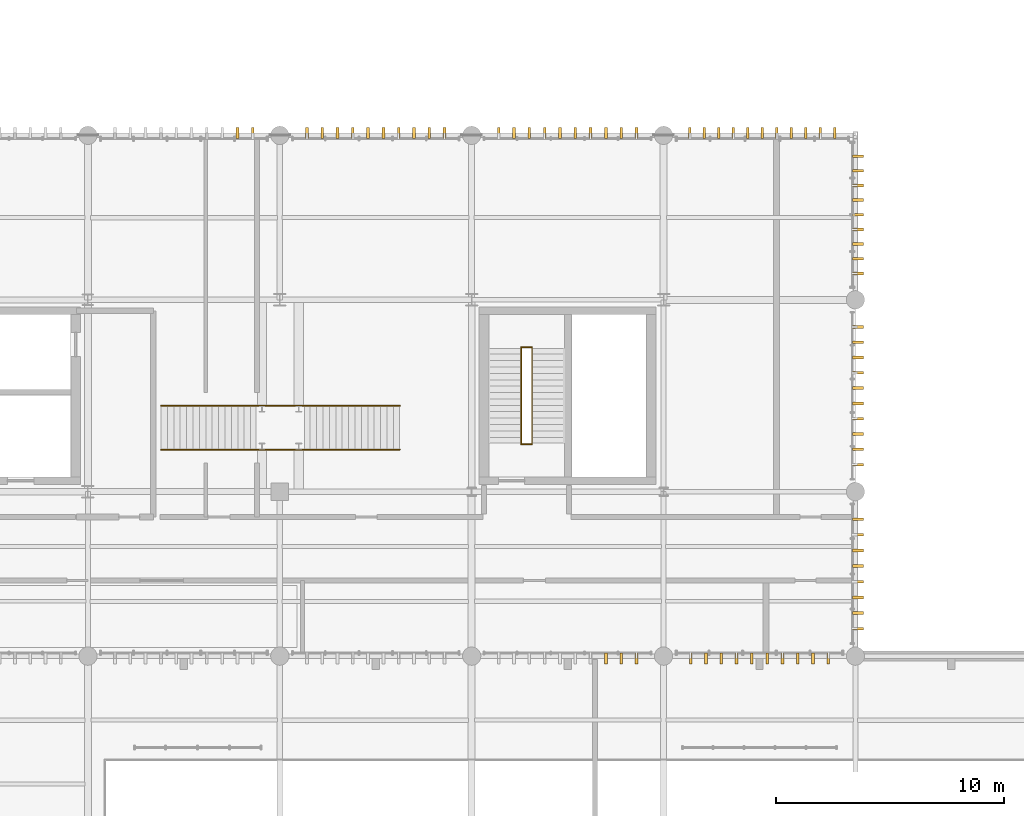
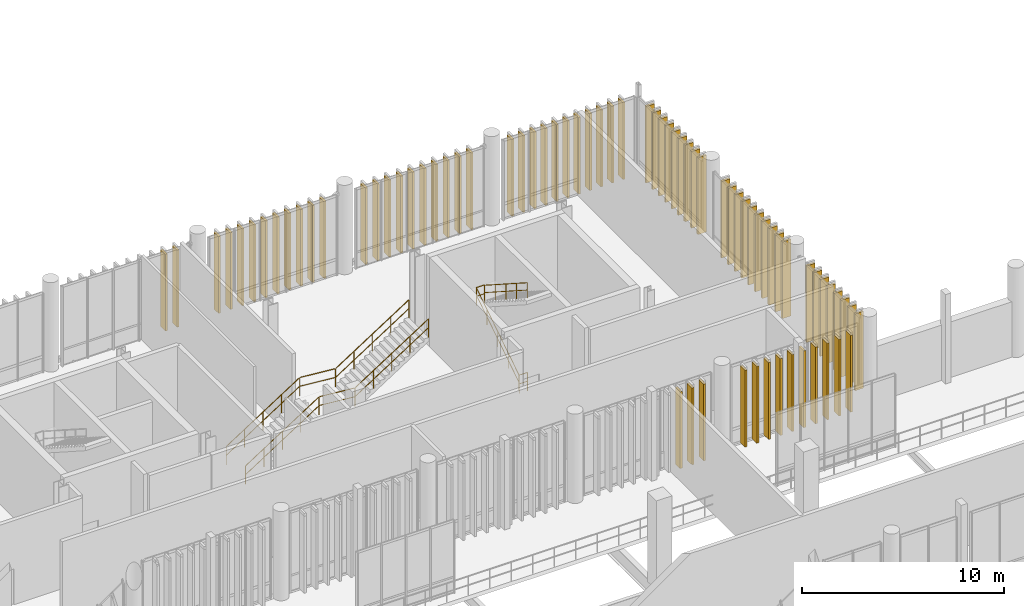
# One storey, part 123 of 128: 73 coverings, 6 railings.
"""IFC4 building model written with IfcOpenShell, lengths in metres."""

from ifc_helpers import new_model, si_unit, direction, frame, frame_2d, origin_with_axes, origin_2d_with_axis, place, context, subcontext, project, spatial, rectangle, circle, extrude, material, type_object, element, save


model = new_model("IFC4")

# Units and contexts
model_context = context("Model", 3, precision=1e-05, world=origin_with_axes(), true_north=direction((0.0, 1.0)))
body_context = subcontext(model_context, "Body", "Model", "MODEL_VIEW")
ifc_project = project(units=[si_unit("LENGTHUNIT", "METRE"), si_unit("AREAUNIT", "SQUARE_METRE"), si_unit("VOLUMEUNIT", "CUBIC_METRE"), si_unit("PLANEANGLEUNIT", "RADIAN"), si_unit("MASSUNIT", "GRAM", prefix="KILO"), si_unit("THERMODYNAMICTEMPERATUREUNIT", "KELVIN")], contexts=[model_context])

# Site, building, storey
site_placement = place(None, origin_with_axes())
site = spatial("IfcSite", under=ifc_project, at=site_placement, CompositionType="ELEMENT")
building_placement = place(site_placement, origin_with_axes())
building = spatial("IfcBuilding", under=site, at=building_placement, Name="Montbau Bow Law Courts", CompositionType="ELEMENT")
storey_placement = place(building_placement, frame((0.0, 0.0, 5.4), z_axis=(0.0, 0.0, 1.0), x_axis=(1.0, 0.0, 0.0)))
storey = spatial("IfcBuildingStorey", under=building, at=storey_placement, Name="L01", CompositionType="ELEMENT", Elevation=5.4)

# Coverings
ifc_material_1 = material(Name="Freeze-Thaw Glazed Warm Cream Ceramic Vertical Louvre", Category="masonry")
covering_type = type_object("IfcCoveringType", Name="CV-LVR-CRM", PredefinedType="CLADDING", material=ifc_material_1)
for number, where, z_axis, x_axis, name in (
    (1, (86.275, 39.13, 5.4), (-1.0, 0.0, 0.0), (0.0, -1.0, 0.0), "CLV-L01-1288:cov_1333"),
    (2, (86.945, 39.13, 5.4), (-1.0, 0.0, 0.0), (0.0, -1.0, 0.0), "CLV-L01-1289:cov_1334"),
    (3, (87.615, 39.13, 5.4), (-1.0, 0.0, 0.0), (0.0, -1.0, 0.0), "CLV-L01-1290:cov_1335"),
    (4, (89.985, 39.13, 5.4), (-1.0, 0.0, 0.0), (0.0, -1.0, 0.0), "CLV-L01-1291:cov_1336"),
    (5, (90.655, 39.13, 5.4), (-1.0, 0.0, 0.0), (0.0, -1.0, 0.0), "CLV-L01-1292:cov_1337"),
    (6, (91.325, 39.13, 5.4), (-1.0, 0.0, 0.0), (0.0, -1.0, 0.0), "CLV-L01-1293:cov_1338"),
    (7, (91.995, 39.13, 5.4), (-1.0, 0.0, 0.0), (0.0, -1.0, 0.0), "CLV-L01-1294:cov_1339"),
    (8, (92.665, 39.13, 5.4), (-1.0, 0.0, 0.0), (0.0, -1.0, 0.0), "CLV-L01-1295:cov_1340"),
    (9, (93.335, 39.13, 5.4), (-1.0, 0.0, 0.0), (0.0, -1.0, 0.0), "CLV-L01-1296:cov_1341"),
    (10, (94.005, 39.13, 5.4), (-1.0, 0.0, 0.0), (0.0, -1.0, 0.0), "CLV-L01-1297:cov_1342"),
    (11, (94.675, 39.13, 5.4), (-1.0, 0.0, 0.0), (0.0, -1.0, 0.0), "CLV-L01-1298:cov_1343"),
    (12, (95.345, 39.13, 5.4), (-1.0, 0.0, 0.0), (0.0, -1.0, 0.0), "CLV-L01-1299:cov_1344"),
    (13, (96.015, 39.13, 5.4), (-1.0, 0.0, 0.0), (0.0, -1.0, 0.0), "CLV-L01-1300:cov_1345"),
    (14, (70.145, 61.67, 5.4), (1.0, 0.0, 0.0), (0.0, 1.0, 0.0), "CLV-L01-1329:cov_1374"),
    (15, (70.815, 61.67, 5.4), (1.0, 0.0, 0.0), (0.0, 1.0, 0.0), "CLV-L01-1330:cov_1375"),
    (16, (73.185, 61.67, 5.4), (1.0, 0.0, 0.0), (0.0, 1.0, 0.0), "CLV-L01-1331:cov_1376"),
    (17, (73.855, 61.67, 5.4), (1.0, 0.0, 0.0), (0.0, 1.0, 0.0), "CLV-L01-1332:cov_1377"),
    (18, (74.525, 61.67, 5.4), (1.0, 0.0, 0.0), (0.0, 1.0, 0.0), "CLV-L01-1333:cov_1378"),
    (19, (75.195, 61.67, 5.4), (1.0, 0.0, 0.0), (0.0, 1.0, 0.0), "CLV-L01-1334:cov_1379"),
    (20, (75.865, 61.67, 5.4), (1.0, 0.0, 0.0), (0.0, 1.0, 0.0), "CLV-L01-1335:cov_1380"),
    (21, (76.535, 61.67, 5.4), (1.0, 0.0, 0.0), (0.0, 1.0, 0.0), "CLV-L01-1336:cov_1381"),
    (22, (77.205, 61.67, 5.4), (1.0, 0.0, 0.0), (0.0, 1.0, 0.0), "CLV-L01-1337:cov_1382"),
    (23, (77.875, 61.67, 5.4), (1.0, 0.0, 0.0), (0.0, 1.0, 0.0), "CLV-L01-1338:cov_1383"),
    (24, (78.545, 61.67, 5.4), (1.0, 0.0, 0.0), (0.0, 1.0, 0.0), "CLV-L01-1339:cov_1384"),
    (25, (79.215, 61.67, 5.4), (1.0, 0.0, 0.0), (0.0, 1.0, 0.0), "CLV-L01-1340:cov_1385"),
    (26, (81.585, 61.67, 5.4), (1.0, 0.0, 0.0), (0.0, 1.0, 0.0), "CLV-L01-1341:cov_1386"),
    (27, (82.255, 61.67, 5.4), (1.0, 0.0, 0.0), (0.0, 1.0, 0.0), "CLV-L01-1342:cov_1387"),
    (28, (82.925, 61.67, 5.4), (1.0, 0.0, 0.0), (0.0, 1.0, 0.0), "CLV-L01-1343:cov_1388"),
    (29, (83.595, 61.67, 5.4), (1.0, 0.0, 0.0), (0.0, 1.0, 0.0), "CLV-L01-1344:cov_1389"),
    (30, (84.265, 61.67, 5.4), (1.0, 0.0, 0.0), (0.0, 1.0, 0.0), "CLV-L01-1345:cov_1390"),
    (31, (84.935, 61.67, 5.4), (1.0, 0.0, 0.0), (0.0, 1.0, 0.0), "CLV-L01-1346:cov_1391"),
    (32, (85.605, 61.67, 5.4), (1.0, 0.0, 0.0), (0.0, 1.0, 0.0), "CLV-L01-1347:cov_1392"),
    (33, (86.275, 61.67, 5.4), (1.0, 0.0, 0.0), (0.0, 1.0, 0.0), "CLV-L01-1348:cov_1393"),
    (34, (86.945, 61.67, 5.4), (1.0, 0.0, 0.0), (0.0, 1.0, 0.0), "CLV-L01-1349:cov_1394"),
    (35, (87.615, 61.67, 5.4), (1.0, 0.0, 0.0), (0.0, 1.0, 0.0), "CLV-L01-1350:cov_1395"),
    (36, (89.95, 61.67, 5.4), (1.0, 0.0, 0.0), (0.0, 1.0, 0.0), "CLV-L01-1351:cov_1396"),
    (37, (90.585, 61.67, 5.4), (1.0, 0.0, 0.0), (0.0, 1.0, 0.0), "CLV-L01-1352:cov_1397"),
    (38, (91.22, 61.67, 5.4), (1.0, 0.0, 0.0), (0.0, 1.0, 0.0), "CLV-L01-1353:cov_1398"),
    (39, (91.854, 61.67, 5.4), (1.0, 0.0, 0.0), (0.0, 1.0, 0.0), "CLV-L01-1354:cov_1399"),
    (40, (92.489, 61.67, 5.4), (1.0, 0.0, 0.0), (0.0, 1.0, 0.0), "CLV-L01-1355:cov_1400"),
    (41, (93.124, 61.67, 5.4), (1.0, 0.0, 0.0), (0.0, 1.0, 0.0), "CLV-L01-1356:cov_1401"),
    (42, (93.759, 61.67, 5.4), (1.0, 0.0, 0.0), (0.0, 1.0, 0.0), "CLV-L01-1357:cov_1402"),
    (43, (94.394, 61.67, 5.4), (1.0, 0.0, 0.0), (0.0, 1.0, 0.0), "CLV-L01-1358:cov_1403"),
    (44, (95.029, 61.67, 5.4), (1.0, 0.0, 0.0), (0.0, 1.0, 0.0), "CLV-L01-1359:cov_1404"),
    (45, (95.663, 61.67, 5.4), (1.0, 0.0, 0.0), (0.0, 1.0, 0.0), "CLV-L01-1360:cov_1405"),
    (46, (96.298, 61.67, 5.4), (1.0, 0.0, 0.0), (0.0, 1.0, 0.0), "CLV-L01-1361:cov_1406"),
    (47, (97.07, 40.201, 5.4), (0.0, -1.0, 0.0), (1.0, 0.0, 0.0), "CLV-L01-1390:cov_1435"),
    (48, (97.07, 40.886, 5.4), (0.0, -1.0, 0.0), (1.0, 0.0, 0.0), "CLV-L01-1391:cov_1436"),
    (49, (97.07, 41.572, 5.4), (0.0, -1.0, 0.0), (1.0, 0.0, 0.0), "CLV-L01-1392:cov_1437"),
    (50, (97.07, 42.257, 5.4), (0.0, -1.0, 0.0), (1.0, 0.0, 0.0), "CLV-L01-1393:cov_1438"),
    (51, (97.07, 42.943, 5.4), (0.0, -1.0, 0.0), (1.0, 0.0, 0.0), "CLV-L01-1394:cov_1439"),
    (52, (97.07, 43.628, 5.4), (0.0, -1.0, 0.0), (1.0, 0.0, 0.0), "CLV-L01-1395:cov_1440"),
    (53, (97.07, 44.314, 5.4), (0.0, -1.0, 0.0), (1.0, 0.0, 0.0), "CLV-L01-1396:cov_1441"),
    (54, (97.07, 44.999, 5.4), (0.0, -1.0, 0.0), (1.0, 0.0, 0.0), "CLV-L01-1397:cov_1442"),
    (55, (97.07, 47.385, 5.4), (0.0, -1.0, 0.0), (1.0, 0.0, 0.0), "CLV-L01-1398:cov_1443"),
    (56, (97.07, 48.055, 5.4), (0.0, -1.0, 0.0), (1.0, 0.0, 0.0), "CLV-L01-1399:cov_1444"),
    (57, (97.07, 48.725, 5.4), (0.0, -1.0, 0.0), (1.0, 0.0, 0.0), "CLV-L01-1400:cov_1445"),
    (58, (97.07, 49.395, 5.4), (0.0, -1.0, 0.0), (1.0, 0.0, 0.0), "CLV-L01-1401:cov_1446"),
    (59, (97.07, 50.065, 5.4), (0.0, -1.0, 0.0), (1.0, 0.0, 0.0), "CLV-L01-1402:cov_1447"),
    (60, (97.07, 50.735, 5.4), (0.0, -1.0, 0.0), (1.0, 0.0, 0.0), "CLV-L01-1403:cov_1448"),
    (61, (97.07, 51.405, 5.4), (0.0, -1.0, 0.0), (1.0, 0.0, 0.0), "CLV-L01-1404:cov_1449"),
    (62, (97.07, 52.075, 5.4), (0.0, -1.0, 0.0), (1.0, 0.0, 0.0), "CLV-L01-1405:cov_1450"),
    (63, (97.07, 52.745, 5.4), (0.0, -1.0, 0.0), (1.0, 0.0, 0.0), "CLV-L01-1406:cov_1451"),
    (64, (97.07, 53.415, 5.4), (0.0, -1.0, 0.0), (1.0, 0.0, 0.0), "CLV-L01-1407:cov_1452"),
    (65, (97.07, 55.757, 5.4), (0.0, -1.0, 0.0), (1.0, 0.0, 0.0), "CLV-L01-1408:cov_1453"),
    (66, (97.07, 56.398, 5.4), (0.0, -1.0, 0.0), (1.0, 0.0, 0.0), "CLV-L01-1409:cov_1454"),
    (67, (97.07, 57.04, 5.4), (0.0, -1.0, 0.0), (1.0, 0.0, 0.0), "CLV-L01-1410:cov_1455"),
    (68, (97.07, 57.682, 5.4), (0.0, -1.0, 0.0), (1.0, 0.0, 0.0), "CLV-L01-1411:cov_1456"),
    (69, (97.07, 58.323, 5.4), (0.0, -1.0, 0.0), (1.0, 0.0, 0.0), "CLV-L01-1412:cov_1457"),
    (70, (97.07, 58.965, 5.4), (0.0, -1.0, 0.0), (1.0, 0.0, 0.0), "CLV-L01-1413:cov_1458"),
    (71, (97.07, 59.607, 5.4), (0.0, -1.0, 0.0), (1.0, 0.0, 0.0), "CLV-L01-1414:cov_1459"),
    (72, (97.07, 60.249, 5.4), (0.0, -1.0, 0.0), (1.0, 0.0, 0.0), "CLV-L01-1415:cov_1460"),
    (73, (97.07, 60.89, 5.4), (0.0, -1.0, 0.0), (1.0, 0.0, 0.0), "CLV-L01-1416:cov_1461"),
):
    element("IfcCovering", number, at=place(None, frame(where, z_axis=z_axis, x_axis=x_axis)), inside=storey, type_object=covering_type, Name=name, PredefinedType="CLADDING", context=body_context, shape_type="SweptSolid", body=[
        extrude(rectangle(XDim=0.48, YDim=4.64, at=frame_2d((0.24, 2.32), x_axis=(1.0, 0.0))), frame((0.0, 0.0, -0.06), z_axis=(0.0, 0.0, 1.0), x_axis=(1.0, 0.0, 0.0)), (0.0, 0.0, 1.0), 0.12),
    ])

# Railings
ifc_material_2 = material(Name="Architectural Bronze-Finished Steel Stair Guard", Category="steel")
railing_type_1 = type_object("IfcRailingType", Name="RL-GRD-1100", PredefinedType="GUARDRAIL", material=ifc_material_2)
railing_1_placement = place(None, origin_with_axes())
element("IfcRailing", 74, at=railing_1_placement, inside=storey, type_object=railing_type_1, Name="SG-ST-P3-L01-ML:rlg_0136", PredefinedType="GUARDRAIL", context=body_context, shape_type="SweptSolid", body=[
    extrude(circle(Radius=0.0225, at=origin_2d_with_axis()), frame((82.57, 52.53, 9.202), z_axis=(1.0, 0.0, 0.0), x_axis=(0.0, 0.0, 1.0)), (0.0, 0.0, 1.0), 0.47),
    extrude(circle(Radius=0.02025, at=origin_2d_with_axis()), frame((82.57, 52.53, 8.672), z_axis=(1.0, 0.0, 0.0), x_axis=(0.0, 0.0, 1.0)), (0.0, 0.0, 1.0), 0.47),
    extrude(circle(Radius=0.02025, at=origin_2d_with_axis()), frame((82.57, 52.53, 8.1), z_axis=(0.0, 0.0, 1.0), x_axis=(1.0, 0.0, 0.0)), (0.0, 0.0, 1.0), 1.07525),
    extrude(circle(Radius=0.02025, at=origin_2d_with_axis()), frame((83.04, 52.53, 8.1), z_axis=(0.0, 0.0, 1.0), x_axis=(1.0, 0.0, 0.0)), (0.0, 0.0, 1.0), 1.07525),
])
railing_2_placement = place(None, origin_with_axes())
element("IfcRailing", 75, at=railing_2_placement, inside=storey, type_object=railing_type_1, Name="SG-ST-P3-L01-BL:rlg_0137", PredefinedType="GUARDRAIL", context=body_context, shape_type="SweptSolid", body=[
    extrude(circle(Radius=0.0225, at=origin_2d_with_axis()), frame((82.57, 48.27, 6.502), z_axis=(1.0, 0.0, 0.0), x_axis=(0.0, 0.0, 1.0)), (0.0, 0.0, 1.0), 0.47),
    extrude(circle(Radius=0.02025, at=origin_2d_with_axis()), frame((82.57, 48.27, 5.972), z_axis=(1.0, 0.0, 0.0), x_axis=(0.0, 0.0, 1.0)), (0.0, 0.0, 1.0), 0.47),
    extrude(circle(Radius=0.02025, at=origin_2d_with_axis()), frame((82.57, 48.27, 5.4), z_axis=(0.0, 0.0, 1.0), x_axis=(1.0, 0.0, 0.0)), (0.0, 0.0, 1.0), 1.07525),
    extrude(circle(Radius=0.02025, at=origin_2d_with_axis()), frame((83.04, 48.27, 5.4), z_axis=(0.0, 0.0, 1.0), x_axis=(1.0, 0.0, 0.0)), (0.0, 0.0, 1.0), 1.07525),
])
railing_3_placement = place(None, origin_with_axes())
element("IfcRailing", 76, at=railing_3_placement, inside=storey, type_object=railing_type_1, Name="SG-ST-TRL-02-S:rlg_0284", PredefinedType="GUARDRAIL", context=body_context, shape_type="SweptSolid", body=[
    extrude(circle(Radius=0.0225, at=origin_2d_with_axis()), frame((66.8, 48.04, 6.682), z_axis=(0.841178475, 0.0, 0.540757591), x_axis=(-0.540757591, 0.0, 0.841178475)), (0.0, 0.0, 1.0), 4.963745),
    extrude(circle(Radius=0.02025, at=origin_2d_with_axis()), frame((66.8, 48.04, 6.152), z_axis=(0.841178475, 0.0, 0.540757591), x_axis=(-0.540757591, 0.0, 0.841178475)), (0.0, 0.0, 1.0), 4.963745),
    extrude(circle(Radius=0.02025, at=origin_2d_with_axis()), frame((66.8, 48.04, 5.58), z_axis=(0.0, 0.0, 1.0), x_axis=(1.0, 0.0, 0.0)), (0.0, 0.0, 1.0), 1.07525),
    extrude(circle(Radius=0.02025, at=origin_2d_with_axis()), frame((67.85, 48.04, 6.255), z_axis=(0.0, 0.0, 1.0), x_axis=(1.0, 0.0, 0.0)), (0.0, 0.0, 1.0), 1.07525),
    extrude(circle(Radius=0.02025, at=origin_2d_with_axis()), frame((68.9, 48.04, 6.93), z_axis=(0.0, 0.0, 1.0), x_axis=(1.0, 0.0, 0.0)), (0.0, 0.0, 1.0), 1.07525),
    extrude(circle(Radius=0.02025, at=origin_2d_with_axis()), frame((69.95, 48.04, 7.605), z_axis=(0.0, 0.0, 1.0), x_axis=(1.0, 0.0, 0.0)), (0.0, 0.0, 1.0), 1.07525),
    extrude(circle(Radius=0.02025, at=origin_2d_with_axis()), frame((71.0, 48.04, 8.28), z_axis=(0.0, 0.0, 1.0), x_axis=(1.0, 0.0, 0.0)), (0.0, 0.0, 1.0), 1.07525),
    extrude(circle(Radius=0.0225, at=origin_2d_with_axis()), frame((71.029138, 48.04, 9.379442), z_axis=(0.996167299, 0.0, -0.087468348), x_axis=(0.087468348, 0.0, 0.996167299)), (0.0, 0.0, 1.0), 1.999387),
    extrude(circle(Radius=0.02025, at=origin_2d_with_axis()), frame((71.029138, 48.04, 8.849442), z_axis=(0.996167299, 0.0, -0.087468348), x_axis=(0.087468348, 0.0, 0.996167299)), (0.0, 0.0, 1.0), 1.999387),
    extrude(circle(Radius=0.02025, at=origin_2d_with_axis()), frame((73.05, 48.04, 8.1), z_axis=(0.0, 0.0, 1.0), x_axis=(1.0, 0.0, 0.0)), (0.0, 0.0, 1.0), 1.07525),
    extrude(circle(Radius=0.0225, at=origin_2d_with_axis()), frame((73.074604, 48.04, 9.217817), z_axis=(0.841178475, 0.0, 0.540757591), x_axis=(-0.540757591, 0.0, 0.841178475)), (0.0, 0.0, 1.0), 4.963745),
    extrude(circle(Radius=0.02025, at=origin_2d_with_axis()), frame((73.074604, 48.04, 8.687817), z_axis=(0.841178475, 0.0, 0.540757591), x_axis=(-0.540757591, 0.0, 0.841178475)), (0.0, 0.0, 1.0), 4.963745),
    extrude(circle(Radius=0.02025, at=origin_2d_with_axis()), frame((74.1, 48.04, 8.775), z_axis=(0.0, 0.0, 1.0), x_axis=(1.0, 0.0, 0.0)), (0.0, 0.0, 1.0), 1.07525),
    extrude(circle(Radius=0.02025, at=origin_2d_with_axis()), frame((75.15, 48.04, 9.45), z_axis=(0.0, 0.0, 1.0), x_axis=(1.0, 0.0, 0.0)), (0.0, 0.0, 1.0), 1.07525),
    extrude(circle(Radius=0.02025, at=origin_2d_with_axis()), frame((76.2, 48.04, 10.125), z_axis=(0.0, 0.0, 1.0), x_axis=(1.0, 0.0, 0.0)), (0.0, 0.0, 1.0), 1.07525),
    extrude(circle(Radius=0.02025, at=origin_2d_with_axis()), frame((77.25, 48.04, 10.8), z_axis=(0.0, 0.0, 1.0), x_axis=(1.0, 0.0, 0.0)), (0.0, 0.0, 1.0), 1.07525),
])
railing_4_placement = place(None, origin_with_axes())
element("IfcRailing", 77, at=railing_4_placement, inside=storey, type_object=railing_type_1, Name="SG-ST-TRL-02-N:rlg_0285", PredefinedType="GUARDRAIL", context=body_context, shape_type="SweptSolid", body=[
    extrude(circle(Radius=0.0225, at=origin_2d_with_axis()), frame((66.8, 49.96, 6.682), z_axis=(0.841178475, 0.0, 0.540757591), x_axis=(-0.540757591, 0.0, 0.841178475)), (0.0, 0.0, 1.0), 4.963745),
    extrude(circle(Radius=0.02025, at=origin_2d_with_axis()), frame((66.8, 49.96, 6.152), z_axis=(0.841178475, 0.0, 0.540757591), x_axis=(-0.540757591, 0.0, 0.841178475)), (0.0, 0.0, 1.0), 4.963745),
    extrude(circle(Radius=0.02025, at=origin_2d_with_axis()), frame((66.8, 49.96, 5.58), z_axis=(0.0, 0.0, 1.0), x_axis=(1.0, 0.0, 0.0)), (0.0, 0.0, 1.0), 1.07525),
    extrude(circle(Radius=0.02025, at=origin_2d_with_axis()), frame((67.85, 49.96, 6.255), z_axis=(0.0, 0.0, 1.0), x_axis=(1.0, 0.0, 0.0)), (0.0, 0.0, 1.0), 1.07525),
    extrude(circle(Radius=0.02025, at=origin_2d_with_axis()), frame((68.9, 49.96, 6.93), z_axis=(0.0, 0.0, 1.0), x_axis=(1.0, 0.0, 0.0)), (0.0, 0.0, 1.0), 1.07525),
    extrude(circle(Radius=0.02025, at=origin_2d_with_axis()), frame((69.95, 49.96, 7.605), z_axis=(0.0, 0.0, 1.0), x_axis=(1.0, 0.0, 0.0)), (0.0, 0.0, 1.0), 1.07525),
    extrude(circle(Radius=0.02025, at=origin_2d_with_axis()), frame((71.0, 49.96, 8.28), z_axis=(0.0, 0.0, 1.0), x_axis=(1.0, 0.0, 0.0)), (0.0, 0.0, 1.0), 1.07525),
    extrude(circle(Radius=0.0225, at=origin_2d_with_axis()), frame((71.029138, 49.96, 9.379442), z_axis=(0.996167299, 0.0, -0.087468348), x_axis=(0.087468348, 0.0, 0.996167299)), (0.0, 0.0, 1.0), 1.999387),
    extrude(circle(Radius=0.02025, at=origin_2d_with_axis()), frame((71.029138, 49.96, 8.849442), z_axis=(0.996167299, 0.0, -0.087468348), x_axis=(0.087468348, 0.0, 0.996167299)), (0.0, 0.0, 1.0), 1.999387),
    extrude(circle(Radius=0.02025, at=origin_2d_with_axis()), frame((73.05, 49.96, 8.1), z_axis=(0.0, 0.0, 1.0), x_axis=(1.0, 0.0, 0.0)), (0.0, 0.0, 1.0), 1.07525),
    extrude(circle(Radius=0.0225, at=origin_2d_with_axis()), frame((73.074604, 49.96, 9.217817), z_axis=(0.841178475, 0.0, 0.540757591), x_axis=(-0.540757591, 0.0, 0.841178475)), (0.0, 0.0, 1.0), 4.963745),
    extrude(circle(Radius=0.02025, at=origin_2d_with_axis()), frame((73.074604, 49.96, 8.687817), z_axis=(0.841178475, 0.0, 0.540757591), x_axis=(-0.540757591, 0.0, 0.841178475)), (0.0, 0.0, 1.0), 4.963745),
    extrude(circle(Radius=0.02025, at=origin_2d_with_axis()), frame((74.1, 49.96, 8.775), z_axis=(0.0, 0.0, 1.0), x_axis=(1.0, 0.0, 0.0)), (0.0, 0.0, 1.0), 1.07525),
    extrude(circle(Radius=0.02025, at=origin_2d_with_axis()), frame((75.15, 49.96, 9.45), z_axis=(0.0, 0.0, 1.0), x_axis=(1.0, 0.0, 0.0)), (0.0, 0.0, 1.0), 1.07525),
    extrude(circle(Radius=0.02025, at=origin_2d_with_axis()), frame((76.2, 49.96, 10.125), z_axis=(0.0, 0.0, 1.0), x_axis=(1.0, 0.0, 0.0)), (0.0, 0.0, 1.0), 1.07525),
    extrude(circle(Radius=0.02025, at=origin_2d_with_axis()), frame((77.25, 49.96, 10.8), z_axis=(0.0, 0.0, 1.0), x_axis=(1.0, 0.0, 0.0)), (0.0, 0.0, 1.0), 1.07525),
])
ifc_material_3 = material(Name="White-Oak and Stainless Continuous Stair Handrail", Category="steel")
railing_type_2 = type_object("IfcRailingType", Name="RL-HND-0920", PredefinedType="HANDRAIL", material=ifc_material_3)
railing_5_placement = place(None, origin_with_axes())
element("IfcRailing", 78, at=railing_5_placement, inside=storey, type_object=railing_type_2, Name="HR-ST-P3-L01-1:rlg_0138", PredefinedType="HANDRAIL", context=body_context, shape_type="SweptSolid", body=[
    extrude(circle(Radius=0.021, at=origin_2d_with_axis()), frame((82.57, 48.3, 6.502), z_axis=(0.0, 0.841178475, 0.540757591), x_axis=(0.0, -0.540757591, 0.841178475)), (0.0, 0.0, 1.0), 4.992995),
    extrude(circle(Radius=0.0189, at=origin_2d_with_axis()), frame((82.57, 48.3, 6.0584), z_axis=(0.0, 0.841178475, 0.540757591), x_axis=(0.0, -0.540757591, 0.841178475)), (0.0, 0.0, 1.0), 4.992995),
    extrude(circle(Radius=0.0189, at=origin_2d_with_axis()), frame((82.57, 48.3, 5.58), z_axis=(0.0, 0.0, 1.0), x_axis=(1.0, 0.0, 0.0)), (0.0, 0.0, 1.0), 0.8969),
    extrude(circle(Radius=0.0189, at=origin_2d_with_axis()), frame((82.57, 49.35, 6.255), z_axis=(0.0, 0.0, 1.0), x_axis=(1.0, 0.0, 0.0)), (0.0, 0.0, 1.0), 0.8969),
    extrude(circle(Radius=0.0189, at=origin_2d_with_axis()), frame((82.57, 50.4, 6.93), z_axis=(0.0, 0.0, 1.0), x_axis=(1.0, 0.0, 0.0)), (0.0, 0.0, 1.0), 0.8969),
    extrude(circle(Radius=0.0189, at=origin_2d_with_axis()), frame((82.57, 51.45, 7.605), z_axis=(0.0, 0.0, 1.0), x_axis=(1.0, 0.0, 0.0)), (0.0, 0.0, 1.0), 0.8969),
    extrude(circle(Radius=0.0189, at=origin_2d_with_axis()), frame((82.57, 52.5, 8.28), z_axis=(0.0, 0.0, 1.0), x_axis=(1.0, 0.0, 0.0)), (0.0, 0.0, 1.0), 0.8969),
])
railing_6_placement = place(None, origin_with_axes())
element("IfcRailing", 79, at=railing_6_placement, inside=storey, type_object=railing_type_2, Name="HR-ST-P3-L01-2:rlg_0139", PredefinedType="HANDRAIL", context=body_context, shape_type="SweptSolid", body=[
    extrude(circle(Radius=0.021, at=origin_2d_with_axis()), frame((83.04, 52.5, 9.202), z_axis=(0.0, -0.841178475, 0.540757591), x_axis=(0.0, 0.540757591, 0.841178475)), (0.0, 0.0, 1.0), 4.992995),
    extrude(circle(Radius=0.0189, at=origin_2d_with_axis()), frame((83.04, 52.5, 8.7584), z_axis=(0.0, -0.841178475, 0.540757591), x_axis=(0.0, 0.540757591, 0.841178475)), (0.0, 0.0, 1.0), 4.992995),
    extrude(circle(Radius=0.0189, at=origin_2d_with_axis()), frame((83.04, 52.5, 8.28), z_axis=(0.0, 0.0, 1.0), x_axis=(1.0, 0.0, 0.0)), (0.0, 0.0, 1.0), 0.8969),
    extrude(circle(Radius=0.0189, at=origin_2d_with_axis()), frame((83.04, 51.45, 8.955), z_axis=(0.0, 0.0, 1.0), x_axis=(1.0, 0.0, 0.0)), (0.0, 0.0, 1.0), 0.8969),
    extrude(circle(Radius=0.0189, at=origin_2d_with_axis()), frame((83.04, 50.4, 9.63), z_axis=(0.0, 0.0, 1.0), x_axis=(1.0, 0.0, 0.0)), (0.0, 0.0, 1.0), 0.8969),
    extrude(circle(Radius=0.0189, at=origin_2d_with_axis()), frame((83.04, 49.35, 10.305), z_axis=(0.0, 0.0, 1.0), x_axis=(1.0, 0.0, 0.0)), (0.0, 0.0, 1.0), 0.8969),
    extrude(circle(Radius=0.0189, at=origin_2d_with_axis()), frame((83.04, 48.3, 10.98), z_axis=(0.0, 0.0, 1.0), x_axis=(1.0, 0.0, 0.0)), (0.0, 0.0, 1.0), 0.8969),
])

save(model, "model.ifc")
